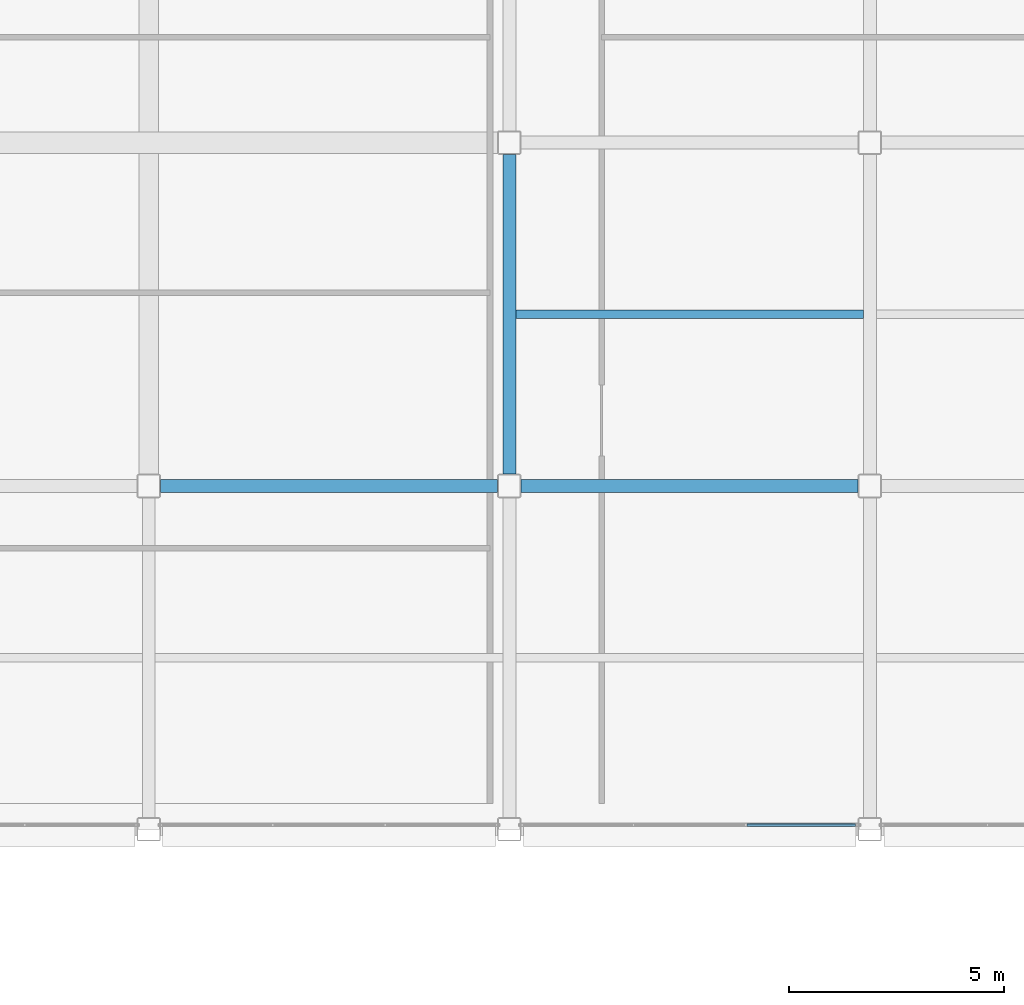
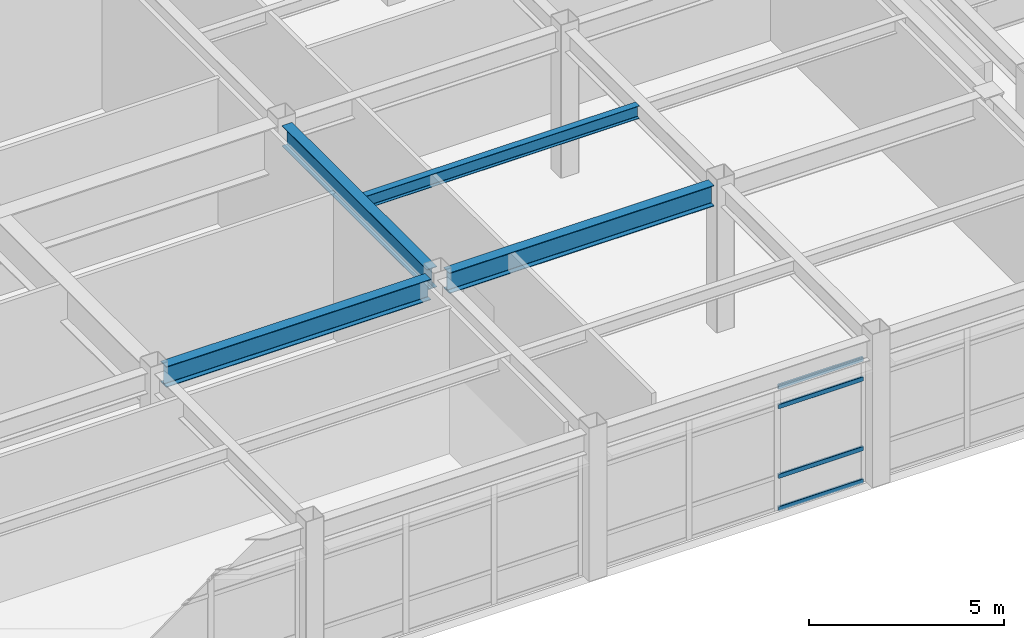
# One storey, part 42 of 154: 4 beams, 4 members, 1 element without a shape of its own.
"""IFC4 building model written with IfcOpenShell, lengths in metres."""

from ifc_helpers import new_model, si_unit, direction, frame, origin, origin_2d, place, context, subcontext, project, spatial, hollow_rectangle, i_section, extrude, material, layer, layer_set, material_profile, profile_set, type_object, element, aggregate, save


model = new_model("IFC4")

# Units and contexts
model_context = context("Model", 3, precision=1e-05, world=origin(), true_north=direction((0.0, 1.0)))
body_context = subcontext(model_context, "Body", "Model", "MODEL_VIEW")
ifc_project = project(units=[si_unit("LENGTHUNIT", "METRE"), si_unit("AREAUNIT", "SQUARE_METRE"), si_unit("VOLUMEUNIT", "CUBIC_METRE"), si_unit("PLANEANGLEUNIT", "RADIAN"), si_unit("MASSUNIT", "GRAM", prefix="KILO")], contexts=[model_context])

# Site, building, storey
site_placement = place(None, origin())
site = spatial("IfcSite", under=ifc_project, at=site_placement, CompositionType="ELEMENT")
building_placement = place(site_placement, origin())
building = spatial("IfcBuilding", under=site, at=building_placement, Name="Kazehara Bluff Congress Hotel", CompositionType="ELEMENT")
storey_placement = place(building_placement, frame((0.0, 0.0, 10.199951171875)))
storey = spatial("IfcBuildingStorey", under=building, at=storey_placement, Name="L02", CompositionType="ELEMENT", Elevation=10.199951171875)

# Curtain wall, members
ifc_material_1 = material(Name="Anodised aluminium", Category="aluminium")
ifc_layer = layer(ifc_material_1, 0.159912109375)
ifc_layer_set = layer_set([ifc_layer], Name="Anodised aluminium")
curtain_wall_type = type_object("IfcCurtainWallType", Name="TP-CW-117", PredefinedType="NOTDEFINED", material=ifc_layer_set)
curtain_wall_placement = place(storey_placement, origin())
curtain_wall = element("IfcCurtainWall", 1, at=curtain_wall_placement, inside=storey, type_object=curtain_wall_type, Name="L02 curtain wall CW-117 CW-ENC-V4-L02-9705-1610", PredefinedType="NOTDEFINED")
ifc_material_2 = material(Name="Anodised aluminium", Category="aluminium")
ifc_material_profile_1 = material_profile(ifc_material_2, hollow_rectangle(XDim=0.06494140625, YDim=0.139892578125, WallThickness=0.00390625, InnerFilletRadius=0.00390625, OuterFilletRadius=0.008056640625, at=origin_2d()))
ifc_profile_set_1 = profile_set([ifc_material_profile_1], Name="Anodised aluminium")
member_type = type_object("IfcMemberType", Name="TP-CWT-02", PredefinedType="USERDEFINED", material=ifc_profile_set_1)
member_1_placement = place(storey_placement, frame((100.909912109375, 16.10009765625, 0.032470703125), z_axis=(-1.0, 0.0, 0.0), x_axis=(0.0, -1.0, 0.0)))
member_1 = element("IfcMember", 2, at=member_1_placement, type_object=member_type, Name="CW-117 transom 1.1", ObjectType="TRANSOM", PredefinedType="USERDEFINED", context=body_context, shape_type="SweptSolid", body=[
    extrude(hollow_rectangle(XDim=0.06494140625, YDim=0.139892578125, WallThickness=0.00390625, InnerFilletRadius=0.00390625, OuterFilletRadius=0.008056640625, at=origin_2d()), origin(), (0.0, 0.0, 1.0), 2.51904296875),
])
member_2_placement = place(storey_placement, frame((100.909912109375, 16.10009765625, 1.050048828125), z_axis=(-1.0, 0.0, 0.0), x_axis=(0.0, -1.0, 0.0)))
member_2 = element("IfcMember", 3, at=member_2_placement, type_object=member_type, Name="CW-117 transom 1.2", ObjectType="TRANSOM", PredefinedType="USERDEFINED", context=body_context, shape_type="SweptSolid", body=[
    extrude(hollow_rectangle(XDim=0.06494140625, YDim=0.139892578125, WallThickness=0.00390625, InnerFilletRadius=0.00390625, OuterFilletRadius=0.008056640625, at=origin_2d()), origin(), (0.0, 0.0, 1.0), 2.51904296875),
])
member_3_placement = place(storey_placement, frame((100.909912109375, 16.10009765625, 3.235107421875), z_axis=(-1.0, 0.0, 0.0), x_axis=(0.0, -1.0, 0.0)))
member_3 = element("IfcMember", 4, at=member_3_placement, type_object=member_type, Name="CW-117 transom 1.3", ObjectType="TRANSOM", PredefinedType="USERDEFINED", context=body_context, shape_type="SweptSolid", body=[
    extrude(hollow_rectangle(XDim=0.06494140625, YDim=0.139892578125, WallThickness=0.00390625, InnerFilletRadius=0.00390625, OuterFilletRadius=0.008056640625, at=origin_2d()), origin(), (0.0, 0.0, 1.0), 2.51904296875),
])
member_4_placement = place(storey_placement, frame((100.909912109375, 16.10009765625, 3.8525390625), z_axis=(-1.0, 0.0, 0.0), x_axis=(0.0, -1.0, 0.0)))
member_4 = element("IfcMember", 5, at=member_4_placement, type_object=member_type, Name="CW-117 transom 1.4", ObjectType="TRANSOM", PredefinedType="USERDEFINED", context=body_context, shape_type="SweptSolid", body=[
    extrude(hollow_rectangle(XDim=0.06494140625, YDim=0.139892578125, WallThickness=0.00390625, InnerFilletRadius=0.00390625, OuterFilletRadius=0.008056640625, at=origin_2d()), origin(), (0.0, 0.0, 1.0), 2.51904296875),
])
aggregate(curtain_wall, [member_1, member_2, member_3, member_4])

# Beams
ifc_material_3 = material(Name="Steel SN490B", Category="steel")
ifc_material_profile_2 = material_profile(ifc_material_3, i_section(OverallWidth=0.300048828125, OverallDepth=0.64990234375, WebThickness=0.011962890625, FlangeThickness=0.02001953125, FilletRadius=0.012939453125, at=origin_2d()))
ifc_profile_set_2 = profile_set([ifc_material_profile_2], Name="Steel SN490B")
beam_type_1 = type_object("IfcBeamType", Name="TP-G-03", PredefinedType="BEAM", material=ifc_profile_set_2)
beam_1_placement = place(storey_placement, frame((92.85009765625, 24.27490234375, 4.235107421875), z_axis=(0.0, 1.0, 0.0), x_axis=(-1.0, 0.0, 0.0)))
element("IfcBeam", 6, at=beam_1_placement, inside=storey, type_object=beam_type_1, Name="L02 girder G-03 80", PredefinedType="BEAM", context=body_context, shape_type="SweptSolid", body=[
    extrude(i_section(OverallWidth=0.300048828125, OverallDepth=0.64990234375, WebThickness=0.011962890625, FlangeThickness=0.02001953125, FilletRadius=0.012939453125, at=origin_2d()), origin(), (0.0, 0.0, 1.0), 7.4501953125),
])
beam_2_placement = place(storey_placement, frame((84.72509765625, 24.0, 4.235107421875), z_axis=(1.0, 0.0, 0.0), x_axis=(0.0, 1.0, 0.0)))
element("IfcBeam", 7, at=beam_2_placement, inside=storey, type_object=beam_type_1, Name="L02 girder G-03 105", PredefinedType="BEAM", context=body_context, shape_type="SweptSolid", body=[
    extrude(i_section(OverallWidth=0.300048828125, OverallDepth=0.64990234375, WebThickness=0.011962890625, FlangeThickness=0.02001953125, FilletRadius=0.012939453125, at=origin_2d()), origin(), (0.0, 0.0, 1.0), 7.849853515625),
])
beam_3_placement = place(storey_placement, frame((93.125, 24.0, 4.235107421875), z_axis=(1.0, 0.0, 0.0), x_axis=(0.0, 1.0, 0.0)))
element("IfcBeam", 8, at=beam_3_placement, inside=storey, type_object=beam_type_1, Name="L02 girder G-03 106", PredefinedType="BEAM", context=body_context, shape_type="SweptSolid", body=[
    extrude(i_section(OverallWidth=0.300048828125, OverallDepth=0.64990234375, WebThickness=0.011962890625, FlangeThickness=0.02001953125, FilletRadius=0.012939453125, at=origin_2d()), origin(), (0.0, 0.0, 1.0), 7.85009765625),
])
ifc_material_4 = material(Name="Steel SN400B", Category="steel")
ifc_material_profile_3 = material_profile(ifc_material_4, i_section(OverallWidth=0.199951171875, OverallDepth=0.39990234375, WebThickness=0.008056640625, FlangeThickness=0.012939453125, FilletRadius=0.012939453125, at=origin_2d()))
ifc_profile_set_3 = profile_set([ifc_material_profile_3], Name="Steel SN400B")
beam_type_2 = type_object("IfcBeamType", Name="TP-J-03", PredefinedType="JOIST", material=ifc_profile_set_3)
beam_4_placement = place(storey_placement, frame((93.0, 28.0, 4.360107421875), z_axis=(1.0, 0.0, 0.0), x_axis=(0.0, 1.0, 0.0)))
element("IfcBeam", 9, at=beam_4_placement, inside=storey, type_object=beam_type_2, Name="L02 secondary joist J-03 18", PredefinedType="JOIST", context=body_context, shape_type="SweptSolid", body=[
    extrude(i_section(OverallWidth=0.199951171875, OverallDepth=0.39990234375, WebThickness=0.008056640625, FlangeThickness=0.012939453125, FilletRadius=0.012939453125, at=origin_2d()), origin(), (0.0, 0.0, 1.0), 8.10009765625),
])

save(model, "model.ifc")
